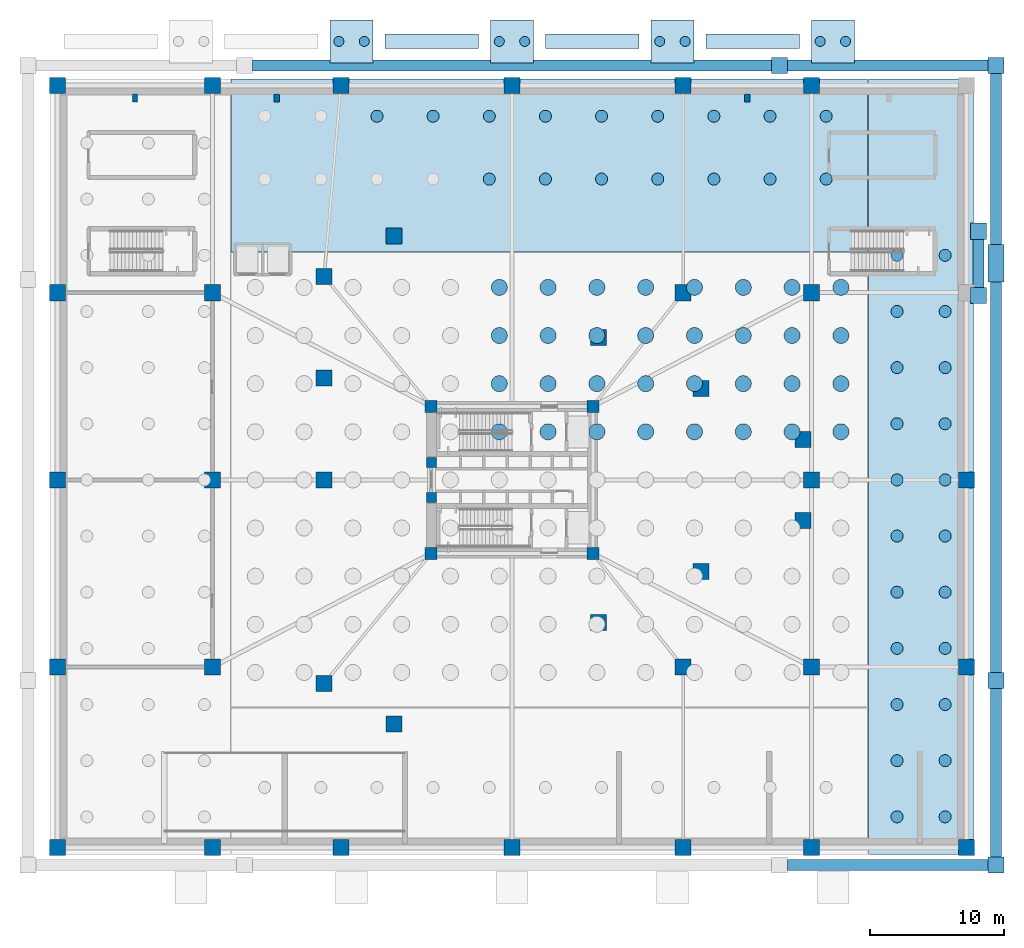
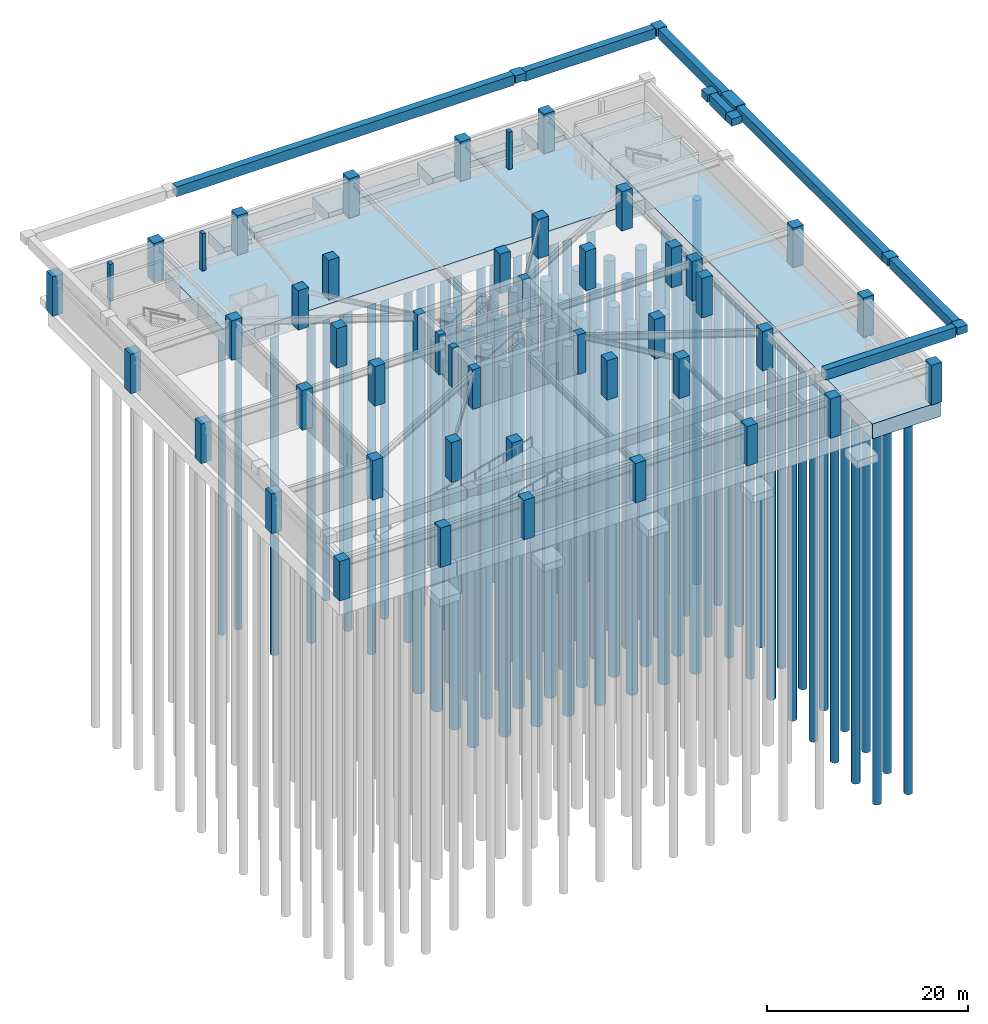
# One storey, part 2 of 14: 78 piles, 47 columns, 23 footings.
"""IFC4 building model written with IfcOpenShell, lengths in metres."""

from ifc_helpers import new_model, si_unit, direction, frame, origin, origin_2d, place, context, subcontext, project, spatial, rectangle, circle, extrude, source, transform, mapped, material, layer, layer_set, material_profile, profile_set, type_object, element, save


model = new_model("IFC4")

# Units and contexts
model_context = context("Model", 3, precision=1e-05, world=origin(), true_north=direction((0.0, 1.0)))
body_context = subcontext(model_context, "Body", "Model", "MODEL_VIEW")
ifc_project = project(units=[si_unit("LENGTHUNIT", "METRE"), si_unit("AREAUNIT", "SQUARE_METRE"), si_unit("VOLUMEUNIT", "CUBIC_METRE"), si_unit("PLANEANGLEUNIT", "RADIAN"), si_unit("MASSUNIT", "GRAM", prefix="KILO")], contexts=[model_context])

# Site, building, storey
site_placement = place(None, origin())
site = spatial("IfcSite", under=ifc_project, at=site_placement, CompositionType="ELEMENT")
building_placement = place(site_placement, origin())
building = spatial("IfcBuilding", under=site, at=building_placement, Name="Yunling Apex Tower", CompositionType="ELEMENT")
storey_placement = place(building_placement, frame((0.0, 0.0, -9.60009765625)))
storey = spatial("IfcBuildingStorey", under=building, at=storey_placement, Name="B02", CompositionType="ELEMENT", Elevation=-9.60009765625)

# Footings
ifc_material_1 = material(Name="Concrete C50", Category="concrete")
ifc_layer_1 = layer(ifc_material_1, 1.800048828125)
ifc_layer_set_1 = layer_set([ifc_layer_1], Name="Concrete C50")
footing_type_1 = type_object("IfcFootingType", Name="FT-RAFT-POD", PredefinedType="CAISSON_FOUNDATION", material=ifc_layer_set_1)
shared_shape_1 = source(origin(), body_context, "Body", "SweptSolid", [
    extrude(rectangle(XDim=7.840087890625, YDim=58.0, at=origin_2d()), origin(), (0.0, 0.0, 1.0), 1.800048828125),
])
footing_1_placement = place(storey_placement, frame((30.580078125, 1.0, -1.7998046875), z_axis=(0.0, 0.0, 1.0), x_axis=(1.0, 0.0, 0.0)))
element("IfcFooting", 1, at=footing_1_placement, inside=storey, type_object=footing_type_1, Name="Podium Stepped Raft Wing E (1800 mm)", PredefinedType="CAISSON_FOUNDATION", context=body_context, shape_type="MappedRepresentation", body=[
    mapped(shared_shape_1, transform((0.0, 0.0, 0.0), scale=1.0)),
])
shared_shape_2 = source(origin(), body_context, "Body", "SweptSolid", [
    extrude(rectangle(XDim=47.60009765625, YDim=12.93994140625, at=origin_2d()), origin(), (0.0, 0.0, 1.0), 1.800048828125),
])
footing_2_placement = place(storey_placement, frame((2.800048828125, 23.530029296875, -1.7998046875), z_axis=(0.0, 0.0, 1.0), x_axis=(1.0, 0.0, 0.0)))
element("IfcFooting", 2, at=footing_2_placement, inside=storey, type_object=footing_type_1, Name="Podium Stepped Raft Wing N (1800 mm)", PredefinedType="CAISSON_FOUNDATION", context=body_context, shape_type="MappedRepresentation", body=[
    mapped(shared_shape_2, transform((0.0, 0.0, 0.0), scale=1.0)),
])
ifc_layer_2 = layer(ifc_material_1, 1.39990234375)
ifc_layer_set_2 = layer_set([ifc_layer_2], Name="Concrete C50")
footing_type_2 = type_object("IfcFootingType", Name="FT-CAP-1", PredefinedType="PILE_CAP", material=ifc_layer_set_2)
shared_shape_3 = source(origin(), body_context, "Body", "SweptSolid", [
    extrude(rectangle(XDim=3.199951171875, YDim=3.199951171875, at=origin_2d()), origin(), (0.0, 0.0, 1.0), 1.39990234375),
])
for number, where, z_axis, x_axis, name in (
    (3, (-12.0, 32.800048828125, -1.7998046875), (0.0, 0.0, 1.0), (1.0, 0.0, 0.0), "North Plaza Two-Pile Cap 2"),
    (4, (0.0, 32.800048828125, -1.7998046875), (0.0, 0.0, 1.0), (1.0, 0.0, 0.0), "North Plaza Two-Pile Cap 3"),
    (5, (12.0, 32.800048828125, -1.7998046875), (0.0, 0.0, 1.0), (1.0, 0.0, 0.0), "North Plaza Two-Pile Cap 4"),
    (6, (24.0, 32.800048828125, -1.7998046875), (0.0, 0.0, 1.0), (1.0, 0.0, 0.0), "North Plaza Two-Pile Cap 5"),
):
    element("IfcFooting", number, at=place(storey_placement, frame(where, z_axis=z_axis, x_axis=x_axis)), inside=storey, type_object=footing_type_2, Name=name, PredefinedType="PILE_CAP", context=body_context, shape_type="MappedRepresentation", body=[
        mapped(shared_shape_3, transform((0.0, 0.0, 0.0), scale=1.0)),
    ])
ifc_material_profile_1 = material_profile(ifc_material_1, rectangle(XDim=0.800048828125, YDim=1.199951171875, at=origin_2d()))
ifc_profile_set_1 = profile_set([ifc_material_profile_1], Name="Concrete C50")
footing_type_3 = type_object("IfcFootingType", Name="FT-GBM-1", PredefinedType="FOOTING_BEAM", material=ifc_profile_set_1)
shared_shape_4 = source(origin(), body_context, "Body", "SweptSolid", [
    extrude(rectangle(XDim=0.800048828125, YDim=1.199951171875, at=origin_2d()), origin(), (0.0, 0.0, 1.0), 14.989990234375),
])
for number, where, z_axis, x_axis, name in (
    (7, (20.60498046875, -28.800048828125, 8.77001953125), (1.0, 0.0, 0.0), (0.0, 1.0, 0.0), "Plaza Ground Tie Beam 03"),
    (8, (20.60498046875, 31.0, 8.77001953125), (1.0, 0.0, 0.0), (0.0, 1.0, 0.0), "Plaza Ground Tie Beam 06"),
):
    element("IfcFooting", number, at=place(storey_placement, frame(where, z_axis=z_axis, x_axis=x_axis)), inside=storey, type_object=footing_type_3, Name=name, PredefinedType="FOOTING_BEAM", context=body_context, shape_type="MappedRepresentation", body=[
        mapped(shared_shape_4, transform((0.0, 0.0, 0.0), scale=1.0)),
    ])
shared_shape_5 = source(origin(), body_context, "Body", "SweptSolid", [
    extrude(rectangle(XDim=0.800048828125, YDim=1.199951171875, at=origin_2d()), origin(), (0.0, 0.0, 1.0), 38.7900390625),
])
footing_3_placement = place(storey_placement, frame((-19.39501953125, 31.0, 8.77001953125), z_axis=(1.0, 0.0, 0.0), x_axis=(0.0, 1.0, 0.0)))
element("IfcFooting", 9, at=footing_3_placement, inside=storey, type_object=footing_type_3, Name="Plaza Ground Tie Beam 05", PredefinedType="FOOTING_BEAM", context=body_context, shape_type="MappedRepresentation", body=[
    mapped(shared_shape_5, transform((0.0, 0.0, 0.0), scale=1.0)),
])
shared_shape_6 = source(origin(), body_context, "Body", "SweptSolid", [
    extrude(rectangle(XDim=0.800048828125, YDim=1.199951171875, at=origin_2d()), origin(), (0.0, 0.0, 1.0), 12.590087890625),
])
footing_4_placement = place(storey_placement, frame((36.199951171875, -28.195068359375, 8.77001953125), z_axis=(0.0, 1.0, 0.0), x_axis=(-1.0, 0.0, 0.0)))
element("IfcFooting", 10, at=footing_4_placement, inside=storey, type_object=footing_type_3, Name="Plaza Ground Tie Beam 10", PredefinedType="FOOTING_BEAM", context=body_context, shape_type="MappedRepresentation", body=[
    mapped(shared_shape_6, transform((0.0, 0.0, 0.0), scale=1.0)),
])
shared_shape_7 = source(origin(), body_context, "Body", "SweptSolid", [
    extrude(rectangle(XDim=0.800048828125, YDim=1.199951171875, at=origin_2d()), origin(), (0.0, 0.0, 1.0), 29.18994140625),
])
footing_5_placement = place(storey_placement, frame((36.199951171875, -14.39501953125, 8.77001953125), z_axis=(0.0, 1.0, 0.0), x_axis=(-1.0, 0.0, 0.0)))
element("IfcFooting", 11, at=footing_5_placement, inside=storey, type_object=footing_type_3, Name="Plaza Ground Tie Beam 11", PredefinedType="FOOTING_BEAM", context=body_context, shape_type="MappedRepresentation", body=[
    mapped(shared_shape_7, transform((0.0, 0.0, 0.0), scale=1.0)),
])
shared_shape_8 = source(origin(), body_context, "Body", "SweptSolid", [
    extrude(rectangle(XDim=0.800048828125, YDim=1.199951171875, at=origin_2d()), origin(), (0.0, 0.0, 1.0), 12.7900390625),
])
footing_6_placement = place(storey_placement, frame((36.199951171875, 17.60498046875, 8.77001953125), z_axis=(0.0, 1.0, 0.0), x_axis=(-1.0, 0.0, 0.0)))
element("IfcFooting", 12, at=footing_6_placement, inside=storey, type_object=footing_type_3, Name="Plaza Ground Tie Beam 12", PredefinedType="FOOTING_BEAM", context=body_context, shape_type="MappedRepresentation", body=[
    mapped(shared_shape_8, transform((0.0, 0.0, 0.0), scale=1.0)),
])
shared_shape_9 = source(origin(), body_context, "Body", "SweptSolid", [
    extrude(rectangle(XDim=0.800048828125, YDim=1.199951171875, at=origin_2d()), origin(), (0.0, 0.0, 1.0), 3.590087890625),
])
footing_7_placement = place(storey_placement, frame((34.89990234375, 14.405029296875, 8.77001953125), z_axis=(0.0, 1.0, 0.0), x_axis=(-1.0, 0.0, 0.0)))
element("IfcFooting", 13, at=footing_7_placement, inside=storey, type_object=footing_type_3, Name="Plaza Ground Tie Beam 13", PredefinedType="FOOTING_BEAM", context=body_context, shape_type="MappedRepresentation", body=[
    mapped(shared_shape_9, transform((0.0, 0.0, 0.0), scale=1.0)),
])
ifc_material_profile_2 = material_profile(ifc_material_1, rectangle(XDim=1.10009765625, YDim=0.800048828125, at=origin_2d()))
ifc_profile_set_2 = profile_set([ifc_material_profile_2], Name="Concrete C50")
footing_type_4 = type_object("IfcFootingType", Name="FT-STR-1", PredefinedType="STRIP_FOOTING", material=ifc_profile_set_2)
shared_shape_10 = source(origin(), body_context, "Body", "SweptSolid", [
    extrude(rectangle(XDim=1.10009765625, YDim=0.800048828125, at=origin_2d()), origin(), (0.0, 0.0, 1.0), 7.0),
])
for number, where, z_axis, x_axis, name in (
    (14, (-9.5, 32.800048828125, -1.099853515625), (1.0, 0.0, 0.0), (0.0, 1.0, 0.0), "North Forecourt Strip Footing 3"),
    (15, (2.5, 32.800048828125, -1.099853515625), (1.0, 0.0, 0.0), (0.0, 1.0, 0.0), "North Forecourt Strip Footing 4"),
    (16, (14.5, 32.800048828125, -1.099853515625), (1.0, 0.0, 0.0), (0.0, 1.0, 0.0), "North Forecourt Strip Footing 5"),
):
    element("IfcFooting", number, at=place(storey_placement, frame(where, z_axis=z_axis, x_axis=x_axis)), inside=storey, type_object=footing_type_4, Name=name, PredefinedType="STRIP_FOOTING", context=body_context, shape_type="MappedRepresentation", body=[
        mapped(shared_shape_10, transform((0.0, 0.0, 0.0), scale=1.0)),
    ])

# Piles
ifc_material_profile_3 = material_profile(ifc_material_1, circle(Radius=0.60009765625, at=origin_2d()))
ifc_profile_set_3 = profile_set([ifc_material_profile_3], Name="Concrete C50")
pile_type_1 = type_object("IfcPileType", Name="PL-D1200", PredefinedType="BORED", material=ifc_profile_set_3)
shared_shape_11 = source(origin(), body_context, "Body", "SweptSolid", [
    extrude(circle(Radius=0.60009765625, at=origin_2d()), origin(), (0.0, 0.0, 1.0), 44.89990234375),
])
for number, where, z_axis, x_axis, name in (
    (17, (-0.949951171875, 3.60009765625, -3.5), (0.0, 0.0, -1.0), (1.0, 0.0, 0.0), "Rock-Socketed Bored Pile PILE-TWR-051"),
    (18, (-0.949951171875, 7.199951171875, -3.5), (0.0, 0.0, -1.0), (1.0, 0.0, 0.0), "Rock-Socketed Bored Pile PILE-TWR-052"),
    (19, (-0.949951171875, 10.800048828125, -3.5), (0.0, 0.0, -1.0), (1.0, 0.0, 0.0), "Rock-Socketed Bored Pile PILE-TWR-053"),
    (20, (-0.949951171875, 14.39990234375, -3.5), (0.0, 0.0, -1.0), (1.0, 0.0, 0.0), "Rock-Socketed Bored Pile PILE-TWR-054"),
    (21, (2.699951171875, 3.60009765625, -3.5), (0.0, 0.0, -1.0), (1.0, 0.0, 0.0), "Rock-Socketed Bored Pile PILE-TWR-060"),
    (22, (2.699951171875, 7.199951171875, -3.5), (0.0, 0.0, -1.0), (1.0, 0.0, 0.0), "Rock-Socketed Bored Pile PILE-TWR-061"),
    (23, (2.699951171875, 10.800048828125, -3.5), (0.0, 0.0, -1.0), (1.0, 0.0, 0.0), "Rock-Socketed Bored Pile PILE-TWR-062"),
    (24, (2.699951171875, 14.39990234375, -3.5), (0.0, 0.0, -1.0), (1.0, 0.0, 0.0), "Rock-Socketed Bored Pile PILE-TWR-063"),
    (25, (6.35009765625, 3.60009765625, -3.5), (0.0, 0.0, -1.0), (1.0, 0.0, 0.0), "Rock-Socketed Bored Pile PILE-TWR-069"),
    (26, (6.35009765625, 7.199951171875, -3.5), (0.0, 0.0, -1.0), (1.0, 0.0, 0.0), "Rock-Socketed Bored Pile PILE-TWR-070"),
    (27, (6.35009765625, 10.800048828125, -3.5), (0.0, 0.0, -1.0), (1.0, 0.0, 0.0), "Rock-Socketed Bored Pile PILE-TWR-071"),
    (28, (6.35009765625, 14.39990234375, -3.5), (0.0, 0.0, -1.0), (1.0, 0.0, 0.0), "Rock-Socketed Bored Pile PILE-TWR-072"),
    (29, (10.0, 3.60009765625, -3.5), (0.0, 0.0, -1.0), (1.0, 0.0, 0.0), "Rock-Socketed Bored Pile PILE-TWR-078"),
    (30, (10.0, 7.199951171875, -3.5), (0.0, 0.0, -1.0), (1.0, 0.0, 0.0), "Rock-Socketed Bored Pile PILE-TWR-079"),
    (31, (10.0, 10.800048828125, -3.5), (0.0, 0.0, -1.0), (1.0, 0.0, 0.0), "Rock-Socketed Bored Pile PILE-TWR-080"),
    (32, (10.0, 14.39990234375, -3.5), (0.0, 0.0, -1.0), (1.0, 0.0, 0.0), "Rock-Socketed Bored Pile PILE-TWR-081"),
    (33, (13.64990234375, 3.60009765625, -3.5), (0.0, 0.0, -1.0), (1.0, 0.0, 0.0), "Rock-Socketed Bored Pile PILE-TWR-087"),
    (34, (13.64990234375, 7.199951171875, -3.5), (0.0, 0.0, -1.0), (1.0, 0.0, 0.0), "Rock-Socketed Bored Pile PILE-TWR-088"),
    (35, (13.64990234375, 10.800048828125, -3.5), (0.0, 0.0, -1.0), (1.0, 0.0, 0.0), "Rock-Socketed Bored Pile PILE-TWR-089"),
    (36, (13.64990234375, 14.39990234375, -3.5), (0.0, 0.0, -1.0), (1.0, 0.0, 0.0), "Rock-Socketed Bored Pile PILE-TWR-090"),
    (37, (17.300048828125, 3.60009765625, -3.5), (0.0, 0.0, -1.0), (1.0, 0.0, 0.0), "Rock-Socketed Bored Pile PILE-TWR-096"),
    (38, (17.300048828125, 7.199951171875, -3.5), (0.0, 0.0, -1.0), (1.0, 0.0, 0.0), "Rock-Socketed Bored Pile PILE-TWR-097"),
    (39, (17.300048828125, 10.800048828125, -3.5), (0.0, 0.0, -1.0), (1.0, 0.0, 0.0), "Rock-Socketed Bored Pile PILE-TWR-098"),
    (40, (17.300048828125, 14.39990234375, -3.5), (0.0, 0.0, -1.0), (1.0, 0.0, 0.0), "Rock-Socketed Bored Pile PILE-TWR-099"),
    (41, (20.949951171875, 3.60009765625, -3.5), (0.0, 0.0, -1.0), (1.0, 0.0, 0.0), "Rock-Socketed Bored Pile PILE-TWR-105"),
    (42, (20.949951171875, 7.199951171875, -3.5), (0.0, 0.0, -1.0), (1.0, 0.0, 0.0), "Rock-Socketed Bored Pile PILE-TWR-106"),
    (43, (20.949951171875, 10.800048828125, -3.5), (0.0, 0.0, -1.0), (1.0, 0.0, 0.0), "Rock-Socketed Bored Pile PILE-TWR-107"),
    (44, (20.949951171875, 14.39990234375, -3.5), (0.0, 0.0, -1.0), (1.0, 0.0, 0.0), "Rock-Socketed Bored Pile PILE-TWR-108"),
    (45, (24.60009765625, 3.60009765625, -3.5), (0.0, 0.0, -1.0), (1.0, 0.0, 0.0), "Rock-Socketed Bored Pile PILE-TWR-114"),
    (46, (24.60009765625, 7.199951171875, -3.5), (0.0, 0.0, -1.0), (1.0, 0.0, 0.0), "Rock-Socketed Bored Pile PILE-TWR-115"),
    (47, (24.60009765625, 10.800048828125, -3.5), (0.0, 0.0, -1.0), (1.0, 0.0, 0.0), "Rock-Socketed Bored Pile PILE-TWR-116"),
    (48, (24.60009765625, 14.39990234375, -3.5), (0.0, 0.0, -1.0), (1.0, 0.0, 0.0), "Rock-Socketed Bored Pile PILE-TWR-117"),
):
    element("IfcPile", number, at=place(storey_placement, frame(where, z_axis=z_axis, x_axis=x_axis)), inside=storey, type_object=pile_type_1, Name=name, PredefinedType="BORED", context=body_context, shape_type="MappedRepresentation", body=[
        mapped(shared_shape_11, transform((0.0, 0.0, 0.0), scale=1.0)),
    ])
ifc_material_profile_4 = material_profile(ifc_material_1, circle(Radius=0.449951171875, at=origin_2d()))
ifc_profile_set_4 = profile_set([ifc_material_profile_4], Name="Concrete C50")
pile_type_2 = type_object("IfcPileType", Name="PL-D900", PredefinedType="BORED", material=ifc_profile_set_4)
shared_shape_12 = source(origin(), body_context, "Body", "SweptSolid", [
    extrude(circle(Radius=0.449951171875, at=origin_2d()), origin(), (0.0, 0.0, 1.0), 46.699951171875),
])
for number, where, z_axis, x_axis, name in (
    (49, (28.800048828125, -25.199951171875, -1.699951171875), (0.0, 0.0, -1.0), (1.0, 0.0, 0.0), "Rock-Socketed Bored Pile PILE-POD-040"),
    (50, (28.800048828125, -21.0, -1.699951171875), (0.0, 0.0, -1.0), (1.0, 0.0, 0.0), "Rock-Socketed Bored Pile PILE-POD-041"),
    (51, (28.800048828125, -16.800048828125, -1.699951171875), (0.0, 0.0, -1.0), (1.0, 0.0, 0.0), "Rock-Socketed Bored Pile PILE-POD-042"),
    (52, (28.800048828125, -12.60009765625, -1.699951171875), (0.0, 0.0, -1.0), (1.0, 0.0, 0.0), "Rock-Socketed Bored Pile PILE-POD-043"),
    (53, (28.800048828125, -8.39990234375, -1.699951171875), (0.0, 0.0, -1.0), (1.0, 0.0, 0.0), "Rock-Socketed Bored Pile PILE-POD-044"),
    (54, (28.800048828125, -4.199951171875, -1.699951171875), (0.0, 0.0, -1.0), (1.0, 0.0, 0.0), "Rock-Socketed Bored Pile PILE-POD-045"),
    (55, (28.800048828125, 0.0, -1.699951171875), (0.0, 0.0, -1.0), (1.0, 0.0, 0.0), "Rock-Socketed Bored Pile PILE-POD-046"),
    (56, (28.800048828125, 4.199951171875, -1.699951171875), (0.0, 0.0, -1.0), (1.0, 0.0, 0.0), "Rock-Socketed Bored Pile PILE-POD-047"),
    (57, (28.800048828125, 8.39990234375, -1.699951171875), (0.0, 0.0, -1.0), (1.0, 0.0, 0.0), "Rock-Socketed Bored Pile PILE-POD-048"),
    (58, (28.800048828125, 12.60009765625, -1.699951171875), (0.0, 0.0, -1.0), (1.0, 0.0, 0.0), "Rock-Socketed Bored Pile PILE-POD-049"),
    (59, (28.800048828125, 16.800048828125, -1.699951171875), (0.0, 0.0, -1.0), (1.0, 0.0, 0.0), "Rock-Socketed Bored Pile PILE-POD-050"),
    (60, (32.39990234375, -25.199951171875, -1.699951171875), (0.0, 0.0, -1.0), (1.0, 0.0, 0.0), "Rock-Socketed Bored Pile PILE-POD-051"),
    (61, (32.39990234375, -21.0, -1.699951171875), (0.0, 0.0, -1.0), (1.0, 0.0, 0.0), "Rock-Socketed Bored Pile PILE-POD-052"),
    (62, (32.39990234375, -16.800048828125, -1.699951171875), (0.0, 0.0, -1.0), (1.0, 0.0, 0.0), "Rock-Socketed Bored Pile PILE-POD-053"),
    (63, (32.39990234375, -12.60009765625, -1.699951171875), (0.0, 0.0, -1.0), (1.0, 0.0, 0.0), "Rock-Socketed Bored Pile PILE-POD-054"),
    (64, (32.39990234375, -8.39990234375, -1.699951171875), (0.0, 0.0, -1.0), (1.0, 0.0, 0.0), "Rock-Socketed Bored Pile PILE-POD-055"),
    (65, (32.39990234375, -4.199951171875, -1.699951171875), (0.0, 0.0, -1.0), (1.0, 0.0, 0.0), "Rock-Socketed Bored Pile PILE-POD-056"),
    (66, (32.39990234375, 0.0, -1.699951171875), (0.0, 0.0, -1.0), (1.0, 0.0, 0.0), "Rock-Socketed Bored Pile PILE-POD-057"),
    (67, (32.39990234375, 4.199951171875, -1.699951171875), (0.0, 0.0, -1.0), (1.0, 0.0, 0.0), "Rock-Socketed Bored Pile PILE-POD-058"),
    (68, (32.39990234375, 8.39990234375, -1.699951171875), (0.0, 0.0, -1.0), (1.0, 0.0, 0.0), "Rock-Socketed Bored Pile PILE-POD-059"),
    (69, (32.39990234375, 12.60009765625, -1.699951171875), (0.0, 0.0, -1.0), (1.0, 0.0, 0.0), "Rock-Socketed Bored Pile PILE-POD-060"),
    (70, (32.39990234375, 16.800048828125, -1.699951171875), (0.0, 0.0, -1.0), (1.0, 0.0, 0.0), "Rock-Socketed Bored Pile PILE-POD-061"),
    (71, (-1.699951171875, 22.5, -1.699951171875), (0.0, 0.0, -1.0), (1.0, 0.0, 0.0), "Rock-Socketed Bored Pile PILE-POD-077"),
    (72, (2.5, 22.5, -1.699951171875), (0.0, 0.0, -1.0), (1.0, 0.0, 0.0), "Rock-Socketed Bored Pile PILE-POD-078"),
    (73, (6.699951171875, 22.5, -1.699951171875), (0.0, 0.0, -1.0), (1.0, 0.0, 0.0), "Rock-Socketed Bored Pile PILE-POD-079"),
    (74, (10.89990234375, 22.5, -1.699951171875), (0.0, 0.0, -1.0), (1.0, 0.0, 0.0), "Rock-Socketed Bored Pile PILE-POD-080"),
    (75, (15.10009765625, 22.5, -1.699951171875), (0.0, 0.0, -1.0), (1.0, 0.0, 0.0), "Rock-Socketed Bored Pile PILE-POD-081"),
    (76, (19.300048828125, 22.5, -1.699951171875), (0.0, 0.0, -1.0), (1.0, 0.0, 0.0), "Rock-Socketed Bored Pile PILE-POD-082"),
    (77, (23.5, 22.5, -1.699951171875), (0.0, 0.0, -1.0), (1.0, 0.0, 0.0), "Rock-Socketed Bored Pile PILE-POD-083"),
    (78, (-10.10009765625, 27.199951171875, -1.699951171875), (0.0, 0.0, -1.0), (1.0, 0.0, 0.0), "Rock-Socketed Bored Pile PILE-POD-086"),
    (79, (-5.89990234375, 27.199951171875, -1.699951171875), (0.0, 0.0, -1.0), (1.0, 0.0, 0.0), "Rock-Socketed Bored Pile PILE-POD-087"),
    (80, (-1.699951171875, 27.199951171875, -1.699951171875), (0.0, 0.0, -1.0), (1.0, 0.0, 0.0), "Rock-Socketed Bored Pile PILE-POD-088"),
    (81, (2.5, 27.199951171875, -1.699951171875), (0.0, 0.0, -1.0), (1.0, 0.0, 0.0), "Rock-Socketed Bored Pile PILE-POD-089"),
    (82, (6.699951171875, 27.199951171875, -1.699951171875), (0.0, 0.0, -1.0), (1.0, 0.0, 0.0), "Rock-Socketed Bored Pile PILE-POD-090"),
    (83, (10.89990234375, 27.199951171875, -1.699951171875), (0.0, 0.0, -1.0), (1.0, 0.0, 0.0), "Rock-Socketed Bored Pile PILE-POD-091"),
    (84, (15.10009765625, 27.199951171875, -1.699951171875), (0.0, 0.0, -1.0), (1.0, 0.0, 0.0), "Rock-Socketed Bored Pile PILE-POD-092"),
    (85, (19.300048828125, 27.199951171875, -1.699951171875), (0.0, 0.0, -1.0), (1.0, 0.0, 0.0), "Rock-Socketed Bored Pile PILE-POD-093"),
    (86, (23.5, 27.199951171875, -1.699951171875), (0.0, 0.0, -1.0), (1.0, 0.0, 0.0), "Rock-Socketed Bored Pile PILE-POD-094"),
):
    element("IfcPile", number, at=place(storey_placement, frame(where, z_axis=z_axis, x_axis=x_axis)), inside=storey, type_object=pile_type_2, Name=name, PredefinedType="BORED", context=body_context, shape_type="MappedRepresentation", body=[
        mapped(shared_shape_12, transform((0.0, 0.0, 0.0), scale=1.0)),
    ])
ifc_material_profile_5 = material_profile(ifc_material_1, circle(Radius=0.375, at=origin_2d()))
ifc_profile_set_5 = profile_set([ifc_material_profile_5], Name="Concrete C50")
pile_type_3 = type_object("IfcPileType", Name="PL-D750", PredefinedType="BORED", material=ifc_profile_set_5)
shared_shape_13 = source(origin(), body_context, "Body", "SweptSolid", [
    extrude(circle(Radius=0.375, at=origin_2d()), origin(), (0.0, 0.0, 1.0), 46.699951171875),
])
for number, where, z_axis, x_axis, name in (
    (87, (-12.949951171875, 32.800048828125, -1.699951171875), (0.0, 0.0, -1.0), (1.0, 0.0, 0.0), "Rock-Socketed Bored Pile PILE-CAP-03"),
    (88, (-11.050048828125, 32.800048828125, -1.699951171875), (0.0, 0.0, -1.0), (1.0, 0.0, 0.0), "Rock-Socketed Bored Pile PILE-CAP-04"),
    (89, (-0.949951171875, 32.800048828125, -1.699951171875), (0.0, 0.0, -1.0), (1.0, 0.0, 0.0), "Rock-Socketed Bored Pile PILE-CAP-05"),
    (90, (0.949951171875, 32.800048828125, -1.699951171875), (0.0, 0.0, -1.0), (1.0, 0.0, 0.0), "Rock-Socketed Bored Pile PILE-CAP-06"),
    (91, (11.050048828125, 32.800048828125, -1.699951171875), (0.0, 0.0, -1.0), (1.0, 0.0, 0.0), "Rock-Socketed Bored Pile PILE-CAP-07"),
    (92, (12.949951171875, 32.800048828125, -1.699951171875), (0.0, 0.0, -1.0), (1.0, 0.0, 0.0), "Rock-Socketed Bored Pile PILE-CAP-08"),
    (93, (23.050048828125, 32.800048828125, -1.699951171875), (0.0, 0.0, -1.0), (1.0, 0.0, 0.0), "Rock-Socketed Bored Pile PILE-CAP-09"),
    (94, (24.949951171875, 32.800048828125, -1.699951171875), (0.0, 0.0, -1.0), (1.0, 0.0, 0.0), "Rock-Socketed Bored Pile PILE-CAP-10"),
):
    element("IfcPile", number, at=place(storey_placement, frame(where, z_axis=z_axis, x_axis=x_axis)), inside=storey, type_object=pile_type_3, Name=name, PredefinedType="BORED", context=body_context, shape_type="MappedRepresentation", body=[
        mapped(shared_shape_13, transform((0.0, 0.0, 0.0), scale=1.0)),
    ])

# Footings
ifc_layer_3 = layer(ifc_material_1, 0.89990234375)
ifc_layer_set_3 = layer_set([ifc_layer_3], Name="Concrete C50")
footing_type_5 = type_object("IfcFootingType", Name="FT-PAD-1", PredefinedType="PAD_FOOTING", material=ifc_layer_set_3)
shared_shape_14 = source(origin(), body_context, "Body", "SweptSolid", [
    extrude(rectangle(XDim=1.199951171875, YDim=1.199951171875, at=origin_2d()), origin(), (0.0, 0.0, 1.0), 0.89990234375),
])
for number, where, z_axis, x_axis, name in (
    (95, (36.199951171875, -28.800048828125, 8.47021484375), (0.0, 0.0, 1.0), (1.0, 0.0, 0.0), "Plaza Slab Grade Footing 2"),
    (96, (36.199951171875, 31.0, 8.47021484375), (0.0, 0.0, 1.0), (1.0, 0.0, 0.0), "Plaza Slab Grade Footing 4"),
    (97, (20.0, 31.0, 8.47021484375), (0.0, 0.0, 1.0), (1.0, 0.0, 0.0), "Plaza Slab Grade Footing 8"),
    (98, (36.199951171875, -15.0, 8.47021484375), (0.0, 0.0, 1.0), (1.0, 0.0, 0.0), "Plaza Slab Grade Footing 11"),
    (99, (34.89990234375, 13.800048828125, 8.47021484375), (0.0, 0.0, 1.0), (1.0, 0.0, 0.0), "Plaza Slab Grade Footing 12"),
    (100, (34.89990234375, 18.60009765625, 8.47021484375), (0.0, 0.0, 1.0), (1.0, 0.0, 0.0), "Plaza Slab Grade Footing 13"),
):
    element("IfcFooting", number, at=place(storey_placement, frame(where, z_axis=z_axis, x_axis=x_axis)), inside=storey, type_object=footing_type_5, Name=name, PredefinedType="PAD_FOOTING", context=body_context, shape_type="MappedRepresentation", body=[
        mapped(shared_shape_14, transform((0.0, 0.0, 0.0), scale=1.0)),
    ])
shared_shape_15 = source(origin(), body_context, "Body", "SweptSolid", [
    extrude(rectangle(XDim=1.199951171875, YDim=2.800048828125, at=origin_2d()), origin(), (0.0, 0.0, 1.0), 0.89990234375),
])
footing_8_placement = place(storey_placement, frame((36.199951171875, 16.199951171875, 8.520263671875), z_axis=(0.0, 0.0, 1.0), x_axis=(1.0, 0.0, 0.0)))
element("IfcFooting", 101, at=footing_8_placement, inside=storey, type_object=footing_type_5, Name="Accessible Ramp Toe Footing", PredefinedType="PAD_FOOTING", context=body_context, shape_type="MappedRepresentation", body=[
    mapped(shared_shape_15, transform((0.0, 0.0, 0.0), scale=1.0)),
])

# Columns
ifc_material_2 = material(Name="Concrete C60", Category="concrete")
ifc_material_profile_6 = material_profile(ifc_material_2, rectangle(XDim=0.89990234375, YDim=0.89990234375, at=origin_2d()))
ifc_profile_set_6 = profile_set([ifc_material_profile_6], Name="Concrete C60")
column_type_1 = type_object("IfcColumnType", Name="PC-SRC-3", PredefinedType="COLUMN", material=ifc_profile_set_6)
shared_shape_16 = source(origin(), body_context, "Body", "SweptSolid", [
    extrude(rectangle(XDim=0.89990234375, YDim=0.89990234375, at=origin_2d()), origin(), (0.0, 0.0, 1.0), 4.800048828125),
])
for number, where, z_axis, x_axis, name in (
    (102, (-6.050048828125, -5.5, 0.0), (0.0, 0.0, 1.0), (1.0, 0.0, 0.0), "B02 Core Spine Column CC-SW"),
    (103, (6.050048828125, -5.5, 0.0), (0.0, 0.0, 1.0), (1.0, 0.0, 0.0), "B02 Core Spine Column CC-SE"),
    (104, (6.050048828125, 5.5, 0.0), (0.0, 0.0, 1.0), (1.0, 0.0, 0.0), "B02 Core Spine Column CC-NE"),
    (105, (-6.050048828125, 5.5, 0.0), (0.0, 0.0, 1.0), (1.0, 0.0, 0.0), "B02 Core Spine Column CC-NW"),
):
    element("IfcColumn", number, at=place(storey_placement, frame(where, z_axis=z_axis, x_axis=x_axis)), inside=storey, type_object=column_type_1, Name=name, PredefinedType="COLUMN", context=body_context, shape_type="MappedRepresentation", body=[
        mapped(shared_shape_16, transform((0.0, 0.0, 0.0), scale=1.0)),
    ])
ifc_material_profile_7 = material_profile(ifc_material_1, rectangle(XDim=0.75, YDim=0.75, at=origin_2d()))
ifc_profile_set_7 = profile_set([ifc_material_profile_7], Name="Concrete C50")
column_type_2 = type_object("IfcColumnType", Name="PC-SRC-4", PredefinedType="COLUMN", material=ifc_profile_set_7)
shared_shape_17 = source(origin(), body_context, "Body", "SweptSolid", [
    extrude(rectangle(XDim=0.75, YDim=0.75, at=origin_2d()), origin(), (0.0, 0.0, 1.0), 4.800048828125),
])
for number, where, z_axis, x_axis, name in (
    (106, (-6.02490234375, -1.300048828125, 0.0), (0.0, 0.0, 1.0), (1.0, 0.0, 0.0), "B02 Core West Portal Jamb Column S"),
    (107, (-6.02490234375, 1.300048828125, 0.0), (0.0, 0.0, 1.0), (1.0, 0.0, 0.0), "B02 Core West Portal Jamb Column N"),
):
    element("IfcColumn", number, at=place(storey_placement, frame(where, z_axis=z_axis, x_axis=x_axis)), inside=storey, type_object=column_type_2, Name=name, PredefinedType="COLUMN", context=body_context, shape_type="MappedRepresentation", body=[
        mapped(shared_shape_17, transform((0.0, 0.0, 0.0), scale=1.0)),
    ])
ifc_material_profile_8 = material_profile(ifc_material_1, rectangle(XDim=0.39990234375, YDim=0.60009765625, at=origin_2d()))
ifc_profile_set_8 = profile_set([ifc_material_profile_8], Name="Concrete C50")
column_type_3 = type_object("IfcColumnType", Name="PL-PIL-1", PredefinedType="PILASTER", material=ifc_profile_set_8)
shared_shape_18 = source(origin(), body_context, "Body", "SweptSolid", [
    extrude(rectangle(XDim=0.39990234375, YDim=0.60009765625, at=origin_2d()), origin(), (0.0, 0.0, 1.0), 4.5400390625),
])
for number, where, z_axis, x_axis, name in (
    (108, (-28.199951171875, 28.550048828125, 0.0), (0.0, 0.0, 1.0), (1.0, 0.0, 0.0), "B02 Retaining Wall Pilaster 1"),
    (109, (-17.60009765625, 28.550048828125, 0.0), (0.0, 0.0, 1.0), (1.0, 0.0, 0.0), "B02 Retaining Wall Pilaster 2"),
    (110, (17.60009765625, 28.550048828125, 0.0), (0.0, 0.0, 1.0), (1.0, 0.0, 0.0), "B02 Retaining Wall Pilaster 3"),
):
    element("IfcColumn", number, at=place(storey_placement, frame(where, z_axis=z_axis, x_axis=x_axis)), inside=storey, type_object=column_type_3, Name=name, PredefinedType="PILASTER", context=body_context, shape_type="MappedRepresentation", body=[
        mapped(shared_shape_18, transform((0.0, 0.0, 0.0), scale=1.0)),
    ])
ifc_material_profile_9 = material_profile(ifc_material_2, rectangle(XDim=1.199951171875, YDim=1.199951171875, at=origin_2d()))
ifc_profile_set_9 = profile_set([ifc_material_profile_9], Name="Concrete C60")
column_type_4 = type_object("IfcColumnType", Name="PC-SRC-1", PredefinedType="COLUMN", material=ifc_profile_set_9)
shared_shape_19 = source(origin(), body_context, "Body", "SweptSolid", [
    extrude(rectangle(XDim=1.199951171875, YDim=1.199951171875, at=origin_2d()), origin(), (0.0, 0.0, 1.0), 4.800048828125),
])
for number, where, z_axis, x_axis, name in (
    (111, (-34.0, -27.5, 0.0), (0.0, 0.0, 1.0), (1.0, 0.0, 0.0), "B02 Podium Mega-Column PC-01"),
    (112, (-22.39990234375, -27.5, 0.0), (0.0, 0.0, 1.0), (1.0, 0.0, 0.0), "B02 Podium Mega-Column PC-02"),
    (113, (-12.800048828125, -27.5, 0.0), (0.0, 0.0, 1.0), (1.0, 0.0, 0.0), "B02 Podium Mega-Column PC-03"),
    (114, (0.0, -27.5, 0.0), (0.0, 0.0, 1.0), (1.0, 0.0, 0.0), "B02 Podium Mega-Column PC-04"),
    (115, (12.800048828125, -27.5, 0.0), (0.0, 0.0, 1.0), (1.0, 0.0, 0.0), "B02 Podium Mega-Column PC-05"),
    (116, (22.39990234375, -27.5, 0.0), (0.0, 0.0, 1.0), (1.0, 0.0, 0.0), "B02 Podium Mega-Column PC-06"),
    (117, (34.0, -27.5, 0.0), (0.0, 0.0, 1.0), (1.0, 0.0, 0.0), "B02 Podium Mega-Column PC-07"),
    (118, (-34.0, -14.0, 0.0), (0.0, 0.0, 1.0), (1.0, 0.0, 0.0), "B02 Podium Mega-Column PC-08"),
    (119, (-22.39990234375, -14.0, 0.0), (0.0, 0.0, 1.0), (1.0, 0.0, 0.0), "B02 Podium Mega-Column PC-09"),
    (120, (12.800048828125, -14.0, 0.0), (0.0, 0.0, 1.0), (1.0, 0.0, 0.0), "B02 Podium Mega-Column PC-11"),
    (121, (22.39990234375, -14.0, 0.0), (0.0, 0.0, 1.0), (1.0, 0.0, 0.0), "B02 Podium Mega-Column PC-12"),
    (122, (34.0, -14.0, 0.0), (0.0, 0.0, 1.0), (1.0, 0.0, 0.0), "B02 Podium Mega-Column PC-13"),
    (123, (-34.0, 0.0, 0.0), (0.0, 0.0, 1.0), (1.0, 0.0, 0.0), "B02 Podium Mega-Column PC-14"),
    (124, (-22.39990234375, 0.0, 0.0), (0.0, 0.0, 1.0), (1.0, 0.0, 0.0), "B02 Podium Mega-Column PC-15"),
    (125, (22.39990234375, 0.0, 0.0), (0.0, 0.0, 1.0), (1.0, 0.0, 0.0), "B02 Podium Mega-Column PC-16"),
    (126, (34.0, 0.0, 0.0), (0.0, 0.0, 1.0), (1.0, 0.0, 0.0), "B02 Podium Mega-Column PC-17"),
    (127, (-34.0, 14.0, 0.0), (0.0, 0.0, 1.0), (1.0, 0.0, 0.0), "B02 Podium Mega-Column PC-18"),
    (128, (-22.39990234375, 14.0, 0.0), (0.0, 0.0, 1.0), (1.0, 0.0, 0.0), "B02 Podium Mega-Column PC-19"),
    (129, (12.800048828125, 14.0, 0.0), (0.0, 0.0, 1.0), (1.0, 0.0, 0.0), "B02 Podium Mega-Column PC-21"),
    (130, (22.39990234375, 14.0, 0.0), (0.0, 0.0, 1.0), (1.0, 0.0, 0.0), "B02 Podium Mega-Column PC-22"),
    (131, (-34.0, 29.5, 0.0), (0.0, 0.0, 1.0), (1.0, 0.0, 0.0), "B02 Podium Mega-Column PC-24"),
    (132, (-22.39990234375, 29.5, 0.0), (0.0, 0.0, 1.0), (1.0, 0.0, 0.0), "B02 Podium Mega-Column PC-25"),
    (133, (-12.800048828125, 29.5, 0.0), (0.0, 0.0, 1.0), (1.0, 0.0, 0.0), "B02 Podium Mega-Column PC-26"),
    (134, (0.0, 29.5, 0.0), (0.0, 0.0, 1.0), (1.0, 0.0, 0.0), "B02 Podium Mega-Column PC-27"),
    (135, (12.800048828125, 29.5, 0.0), (0.0, 0.0, 1.0), (1.0, 0.0, 0.0), "B02 Podium Mega-Column PC-28"),
    (136, (22.39990234375, 29.5, 0.0), (0.0, 0.0, 1.0), (1.0, 0.0, 0.0), "B02 Podium Mega-Column PC-29"),
    (137, (-8.8115234375, -18.2578125, 0.0), (0.0, 0.0, 1.0), (1.0, 0.0, 0.0), "B02 Podium Mega-Column MP-B1-01"),
    (138, (6.477294921875, -10.648193359375, 0.0), (0.0, 0.0, 1.0), (1.0, 0.0, 0.0), "B02 Podium Mega-Column MP-B1-02"),
    (139, (14.121826171875, -6.843505859375, 0.0), (0.0, 0.0, 1.0), (1.0, 0.0, 0.0), "B02 Podium Mega-Column MP-B1-03"),
    (140, (21.76611328125, -3.038818359375, 0.0), (0.0, 0.0, 1.0), (1.0, 0.0, 0.0), "B02 Podium Mega-Column MP-B1-04"),
    (141, (21.76611328125, 3.038818359375, 0.0), (0.0, 0.0, 1.0), (1.0, 0.0, 0.0), "B02 Podium Mega-Column MP-B1-05"),
    (142, (14.121826171875, 6.843505859375, 0.0), (0.0, 0.0, 1.0), (1.0, 0.0, 0.0), "B02 Podium Mega-Column MP-B1-06"),
    (143, (6.477294921875, 10.648193359375, 0.0), (0.0, 0.0, 1.0), (1.0, 0.0, 0.0), "B02 Podium Mega-Column MP-B1-07"),
    (144, (-8.8115234375, 18.2578125, 0.0), (0.0, 0.0, 1.0), (1.0, 0.0, 0.0), "B02 Podium Mega-Column MP-B1-08"),
    (145, (-14.052001953125, 15.218994140625, 0.0), (0.0, 0.0, 1.0), (1.0, 0.0, 0.0), "B02 Podium Mega-Column MP-B1-09"),
    (146, (-14.052001953125, 7.609619140625, 0.0), (0.0, 0.0, 1.0), (1.0, 0.0, 0.0), "B02 Podium Mega-Column MP-B1-10"),
    (147, (-14.052001953125, 0.0, 0.0), (0.0, 0.0, 1.0), (1.0, 0.0, 0.0), "B02 Podium Mega-Column MP-B1-11"),
    (148, (-14.052001953125, -15.218994140625, 0.0), (0.0, 0.0, 1.0), (1.0, 0.0, 0.0), "B02 Podium Mega-Column MP-B1-12"),
):
    element("IfcColumn", number, at=place(storey_placement, frame(where, z_axis=z_axis, x_axis=x_axis)), inside=storey, type_object=column_type_4, Name=name, PredefinedType="COLUMN", context=body_context, shape_type="MappedRepresentation", body=[
        mapped(shared_shape_19, transform((0.0, 0.0, 0.0), scale=1.0)),
    ])

save(model, "model.ifc")
